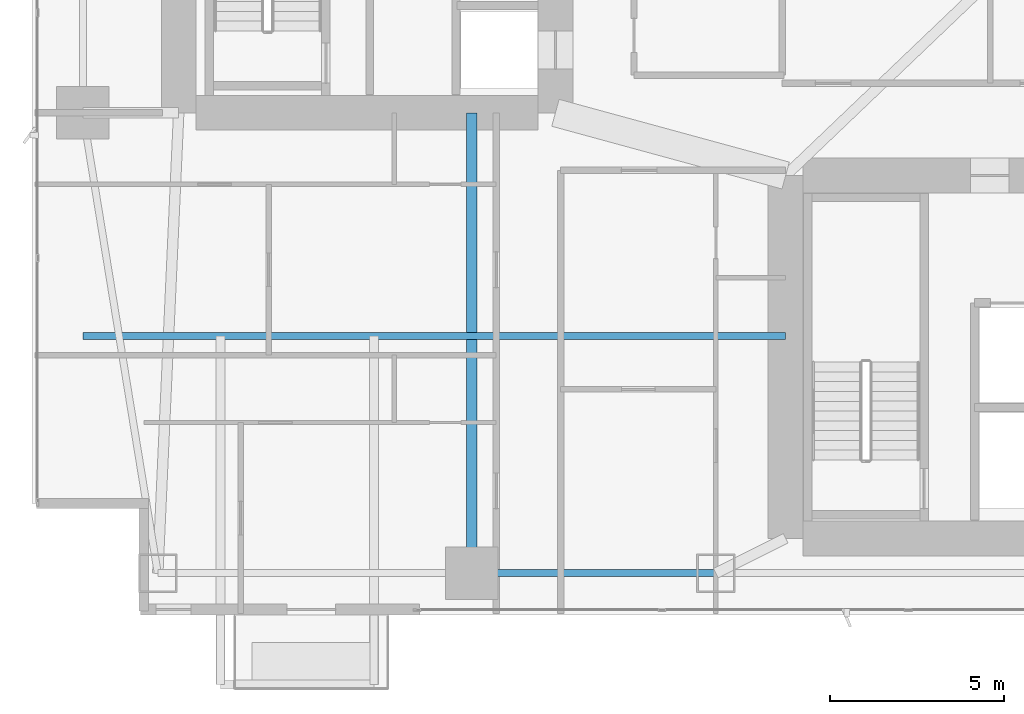
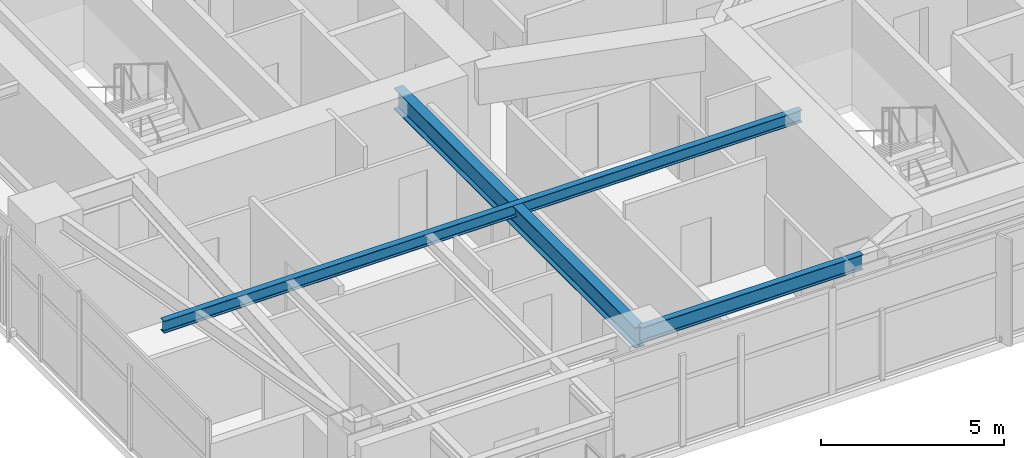
# One storey, part 5 of 29: 3 beams.
"""IFC4 building model written with IfcOpenShell, lengths in metres."""

import ifcopenshell
import ifcopenshell.guid

model = None  # the IFC model being written
_history = None  # IfcOwnerHistory: only IFC2X3 demands one
_inside = {}  # id of a spatial element -> (the spatial element, [elements in it])
_under = {}  # id of a project, library or spatial element -> (it, [spatial elements below it])
_declared = {}  # id of a project -> (the project, [libraries it declares])
_typed = {}  # id of a type object -> (the type object, [elements of that type])
_made_of = {}  # id of a material, layer set ... -> (it, [elements and type objects made of it])


def new_model(schema):
    """Start an empty IFC model of exactly this schema.

    Asked for "IFC4X3", IfcOpenShell would pick the latest addendum, in which some entities
    have other attributes; the version numbers below select the first issue.
    IFC2X3 requires an IfcOwnerHistory on every rooted entity: one is made here for all.
    """
    global model, _history
    if schema == "IFC4X3":
        model = ifcopenshell.file(schema_version=(4, 3, 0, 0))
    else:
        model = ifcopenshell.file(schema=schema)
    _inside.clear()
    _under.clear()
    _declared.clear()
    _typed.clear()
    _made_of.clear()
    _history = None
    if model.schema == "IFC2X3":
        org = make("IfcOrganization", Name="unknown")
        user = make(
            "IfcPersonAndOrganization",
            ThePerson=make("IfcPerson", FamilyName="unknown"),
            TheOrganization=org,
        )
        app = make(
            "IfcApplication",
            ApplicationDeveloper=org,
            Version="unknown",
            ApplicationFullName="unknown",
            ApplicationIdentifier="unknown",
        )
        _history = make(
            "IfcOwnerHistory",
            OwningUser=user,
            OwningApplication=app,
            ChangeAction="ADDED",
            CreationDate=0,
        )
    return model


def make(cls, **values):
    """One entity of the class cls with the attributes given. An attribute that is None is left unset."""
    return model.create_entity(
        cls, **{name: value for name, value in values.items() if value is not None}
    )


def rooted(cls, **values):
    """An entity with a GlobalId (a new one), such as an element, a storey or a relation."""
    return make(cls, GlobalId=ifcopenshell.guid.new(), OwnerHistory=_history, **values)


def si_unit(unit_type, name, prefix=None):
    """IfcSIUnit, for example si_unit("LENGTHUNIT", "METRE", prefix="MILLI")."""
    return make("IfcSIUnit", UnitType=unit_type, Prefix=prefix, Name=name)


def assignment(units):
    """IfcUnitAssignment: the units of a project."""
    return None if units is None else make("IfcUnitAssignment", Units=units)


def point(xyz):
    """IfcCartesianPoint."""
    return None if xyz is None else make("IfcCartesianPoint", Coordinates=xyz)


def direction(xyz):
    """IfcDirection."""
    return None if xyz is None else make("IfcDirection", DirectionRatios=xyz)


def frame(location, z_axis=None, x_axis=None):
    """IfcAxis2Placement3D, a coordinate frame: its origin and axes. An axis left out is left unset."""
    return make(
        "IfcAxis2Placement3D",
        Location=point(location),
        Axis=direction(z_axis),
        RefDirection=direction(x_axis),
    )


def frame_2d(location, x_axis=None):
    """IfcAxis2Placement2D, a coordinate frame in the plane: its origin and x axis."""
    return make(
        "IfcAxis2Placement2D", Location=point(location), RefDirection=direction(x_axis)
    )


def origin():
    """The frame at (0, 0, 0) with its axes left unset."""
    return frame((0.0, 0.0, 0.0))


def origin_2d():
    """The frame at (0, 0) in the plane with its x axis left unset."""
    return frame_2d((0.0, 0.0))


def place(relative_to, where):
    """IfcLocalPlacement: puts the frame where relative to a parent placement (None: the world)."""
    return make(
        "IfcLocalPlacement", PlacementRelTo=relative_to, RelativePlacement=where
    )


def context(
    kind, dimensions, precision=None, world=None, true_north=None, identifier=None
):
    """IfcGeometricRepresentationContext, for example the 3D "Model" context."""
    return make(
        "IfcGeometricRepresentationContext",
        ContextIdentifier=identifier,
        ContextType=kind,
        CoordinateSpaceDimension=dimensions,
        Precision=precision,
        WorldCoordinateSystem=world,
        TrueNorth=true_north,
    )


def subcontext(parent, identifier, kind, view, scale=None):
    """IfcGeometricRepresentationSubContext, for example "Body" below "Model"."""
    return make(
        "IfcGeometricRepresentationSubContext",
        ContextIdentifier=identifier,
        ContextType=kind,
        ParentContext=parent,
        TargetScale=scale,
        TargetView=view,
    )


def project(units=None, contexts=None):
    """IfcProject with its units and contexts."""
    return rooted(
        "IfcProject",
        Name="project",
        RepresentationContexts=contexts,
        UnitsInContext=assignment(units),
    )


def spatial(cls, under=None, at=None, **own):
    """A site, building, storey or space (cls), placed at a placement, below another one or the project."""
    s = rooted(cls, ObjectPlacement=at, **own)
    if under is not None:
        _under.setdefault(under.id(), (under, []))[1].append(s)
    return s


def profile(cls, at=None, kind="AREA", **sizes):
    """A parametric profile (cls). Its sizes go by their IFC names, for example OverallWidth=200.0."""
    return make(cls, ProfileType=kind, Position=at, **sizes)


def i_section(**sizes):
    """IfcIShapeProfileDef."""
    return profile("IfcIShapeProfileDef", **sizes)


def extrude(swept, where, along, depth):
    """IfcExtrudedAreaSolid: the profile swept, set in the frame where, extruded along a direction by depth."""
    return make(
        "IfcExtrudedAreaSolid",
        SweptArea=swept,
        Position=where,
        ExtrudedDirection=direction(along),
        Depth=depth,
    )


def shape(context_of_items, identifier, shape_type, items):
    """IfcShapeRepresentation: the items that make up one representation, for example the "Body"."""
    return make(
        "IfcShapeRepresentation",
        ContextOfItems=context_of_items,
        RepresentationIdentifier=identifier,
        RepresentationType=shape_type,
        Items=items,
    )


def material(Name=None, Category=None):
    """IfcMaterial."""
    return make("IfcMaterial", Name=Name, Category=Category)


def material_profile(
    of_material, cross_section, Name=None, Category=None, Priority=None
):
    """IfcMaterialProfile: a cross section and its material."""
    return make(
        "IfcMaterialProfile",
        Name=Name,
        Material=of_material,
        Profile=cross_section,
        Priority=Priority,
        Category=Category,
    )


def profile_set(profiles, Name=None, composite=None):
    """IfcMaterialProfileSet."""
    return make(
        "IfcMaterialProfileSet",
        Name=Name,
        MaterialProfiles=profiles,
        CompositeProfile=composite,
    )


def made_of(thing, what):
    """Note that an element or type object is made of a material, layer set ...; save() writes the relation."""
    if what is not None:
        _made_of.setdefault(what.id(), (what, []))[1].append(thing)
    return thing


def type_object(cls, material=None, **own):
    """A type object (cls), such as IfcWallType, which elements share."""
    return made_of(rooted(cls, **own), material)


def element(
    cls,
    number,
    at=None,
    inside=None,
    cuts=None,
    type_object=None,
    material=None,
    context=None,
    identifier="Body",
    shape_type=None,
    held_by="IfcProductDefinitionShape",
    body=None,
    shapes=None,
    **own,
):
    """One element of the class cls, such as IfcWall. Its Tag is "e" and its number.

    at: its placement. inside: the storey or other place that contains it. cuts: it is an
    opening in that element (IfcRelVoidsElement). A single representation is given by context,
    identifier, shape_type and body (its items); several are given by shapes. held_by: the class
    of the entity that holds the representations. save() writes the other relations.
    """
    e = rooted(cls, Tag="e%d" % number, ObjectPlacement=at, **own)
    if body is not None:
        shapes = [shape(context, identifier, shape_type, body)]
    if shapes is not None:
        e.Representation = make(held_by, Representations=shapes)
    if inside is not None:
        _inside.setdefault(inside.id(), (inside, []))[1].append(e)
    if cuts is not None:
        rooted(
            "IfcRelVoidsElement", RelatingBuildingElement=cuts, RelatedOpeningElement=e
        )
    if type_object is not None:
        _typed.setdefault(type_object.id(), (type_object, []))[1].append(e)
    return made_of(e, material)


def aggregate(whole, parts):
    """IfcRelAggregates: a whole, such as a stair, and the parts it consists of."""
    return rooted("IfcRelAggregates", RelatingObject=whole, RelatedObjects=parts)


def save(model, path):
    """Write the relations noted so far, then the file.

    IfcRelAggregates (storeys below a building ...), IfcRelContainedInSpatialStructure (elements
    in a storey), IfcRelDefinesByType, IfcRelAssociatesMaterial and IfcRelDeclares: one each for
    every whole, place, type object, material and project.
    """
    for whole, parts in _under.values():
        aggregate(whole, parts)
    for where, things in _inside.values():
        rooted(
            "IfcRelContainedInSpatialStructure",
            RelatedElements=things,
            RelatingStructure=where,
        )
    for kind, things in _typed.values():
        rooted("IfcRelDefinesByType", RelatedObjects=things, RelatingType=kind)
    for what, things in _made_of.values():
        rooted("IfcRelAssociatesMaterial", RelatedObjects=things, RelatingMaterial=what)
    for by, libraries in _declared.values():
        rooted("IfcRelDeclares", RelatingContext=by, RelatedDefinitions=libraries)
    model.write(path)


model = new_model("IFC4")

# Units and contexts
model_context = context("Model", 3, precision=1e-05, world=origin(), true_north=direction((0.0, 1.0)))
body_context = subcontext(model_context, "Body", "Model", "MODEL_VIEW")
ifc_project = project(units=[si_unit("LENGTHUNIT", "METRE"), si_unit("AREAUNIT", "SQUARE_METRE"), si_unit("VOLUMEUNIT", "CUBIC_METRE"), si_unit("PLANEANGLEUNIT", "RADIAN"), si_unit("MASSUNIT", "GRAM", prefix="KILO")], contexts=[model_context])

# Site, building, storey
site_placement = place(None, origin())
site = spatial("IfcSite", under=ifc_project, at=site_placement, CompositionType="ELEMENT")
building_placement = place(site_placement, origin())
building = spatial("IfcBuilding", under=site, at=building_placement, Name="Calvorn Quay Hotel", CompositionType="ELEMENT")
storey_placement = place(building_placement, frame((0.0, 0.0, 62.199951171875)))
storey = spatial("IfcBuildingStorey", under=building, at=storey_placement, Name="L14", CompositionType="ELEMENT", Elevation=62.199951171875)

# Beams
ifc_material_1 = material(Name="Steel Q390GJC", Category="steel")
ifc_material_profile_1 = material_profile(ifc_material_1, i_section(OverallWidth=0.300048828125, OverallDepth=0.699951171875, WebThickness=0.012939453125, FlangeThickness=0.02392578125, FilletRadius=0.02392578125, at=origin_2d()), Name="HN700x300x13x24")
ifc_profile_set_1 = profile_set([ifc_material_profile_1], Name="Steel Q390GJC")
beam_type_1 = type_object("IfcBeamType", Name="BM-GIRD-MAIN", PredefinedType="BEAM", material=ifc_profile_set_1)
beam_1_placement = place(storey_placement, frame((12.60009765625, 3.60009765625, 3.18994140625), z_axis=(0.0, 1.0, 0.0), x_axis=(-1.0, 0.0, 0.0)))
element("IfcBeam", 1, at=beam_1_placement, inside=storey, type_object=beam_type_1, Name="Beam BG-L14-S1", PredefinedType="BEAM", context=body_context, shape_type="SweptSolid", body=[
    extrude(i_section(OverallWidth=0.300048828125, OverallDepth=0.699951171875, WebThickness=0.012939453125, FlangeThickness=0.02392578125, FilletRadius=0.02392578125, at=origin_2d()), origin(), (0.0, 0.0, 1.0), 13.199951171875),
])
ifc_material_2 = material(Name="Steel Q355B", Category="steel")
ifc_material_profile_2 = material_profile(ifc_material_2, i_section(OverallWidth=0.199951171875, OverallDepth=0.39990234375, WebThickness=0.008056640625, FlangeThickness=0.012939453125, FilletRadius=0.01611328125, at=origin_2d()), Name="HN400x200x8x13")
ifc_profile_set_2 = profile_set([ifc_material_profile_2], Name="Steel Q355B")
beam_type_2 = type_object("IfcBeamType", Name="BM-JOIST-TYP", PredefinedType="JOIST", material=ifc_profile_set_2)
beam_2_placement = place(storey_placement, frame((1.449951171875, 10.39990234375, 3.340087890625), z_axis=(1.0, 0.0, 0.0), x_axis=(0.0, 1.0, 0.0)))
element("IfcBeam", 2, at=beam_2_placement, inside=storey, type_object=beam_type_2, Name="Beam BJ-L14-W1", PredefinedType="JOIST", context=body_context, shape_type="SweptSolid", body=[
    extrude(i_section(OverallWidth=0.199951171875, OverallDepth=0.39990234375, WebThickness=0.008056640625, FlangeThickness=0.012939453125, FilletRadius=0.01611328125, at=origin_2d()), origin(), (0.0, 0.0, 1.0), 20.150146484375),
])
ifc_material_3 = material(Name="Steel Q355B", Category="steel")
ifc_material_profile_3 = material_profile(ifc_material_3, i_section(OverallWidth=0.199951171875, OverallDepth=0.5, WebThickness=0.010009765625, FlangeThickness=0.01611328125, FilletRadius=0.01611328125, at=origin_2d()), Name="HN500x200x10x16")
ifc_profile_set_3 = profile_set([ifc_material_profile_3], Name="Steel Q355B")
beam_type_3 = type_object("IfcBeamType", Name="BM-SPANDREL-Z1", PredefinedType="SPANDREL", material=ifc_profile_set_3)
beam_3_placement = place(storey_placement, frame((12.60009765625, 3.60009765625, 3.2900390625), z_axis=(1.0, 0.0, 0.0), x_axis=(0.0, 1.0, 0.0)))
element("IfcBeam", 3, at=beam_3_placement, inside=storey, type_object=beam_type_3, Name="Beam BSP-L14-S2", PredefinedType="SPANDREL", context=body_context, shape_type="SweptSolid", body=[
    extrude(i_section(OverallWidth=0.199951171875, OverallDepth=0.5, WebThickness=0.010009765625, FlangeThickness=0.01611328125, FilletRadius=0.01611328125, at=origin_2d()), origin(), (0.0, 0.0, 1.0), 7.0),
])

save(model, "model.ifc")
